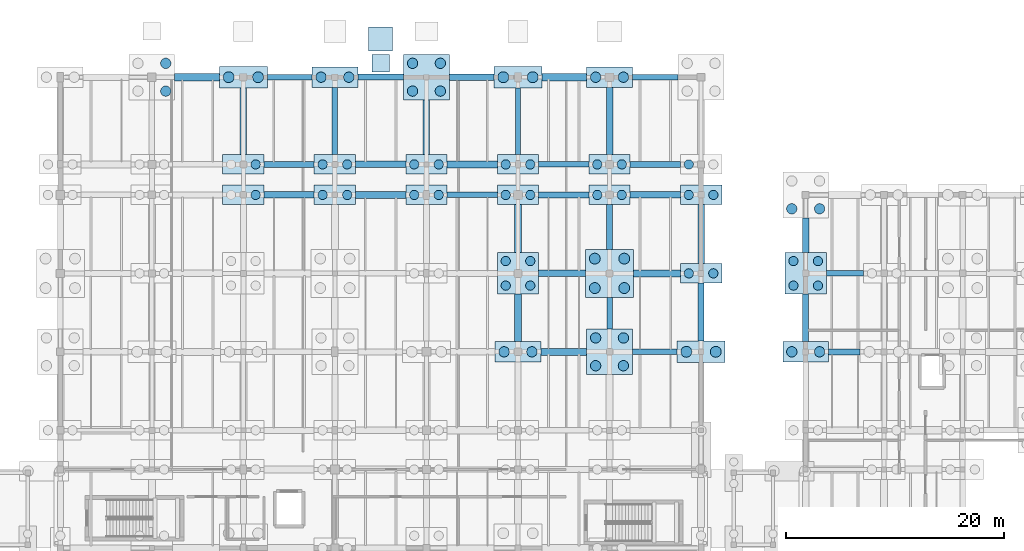
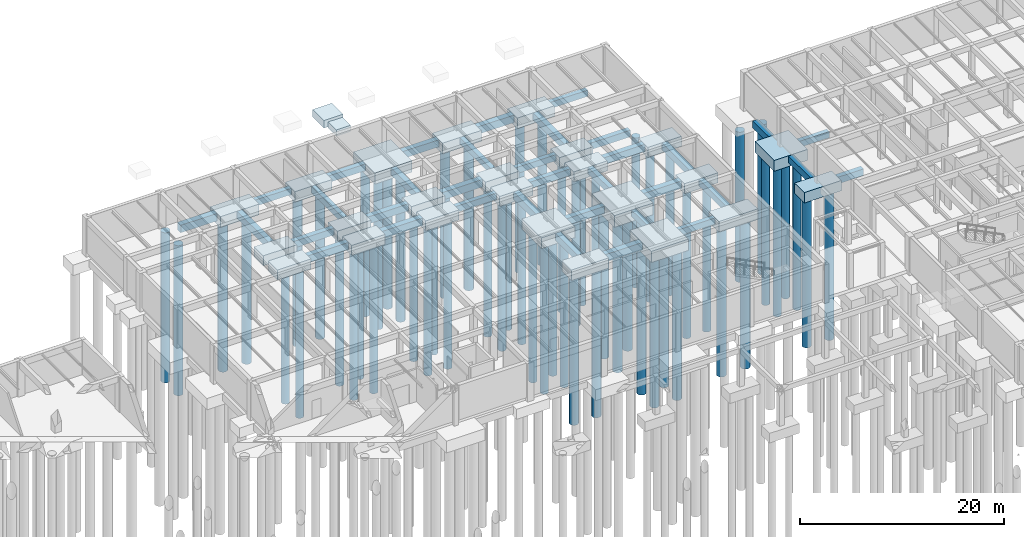
# One storey, part 11 of 63: 61 footings, 61 piles.
"""IFC4 building model written with IfcOpenShell, lengths in metres."""

from ifc_helpers import new_model, si_unit, direction, frame, origin, origin_2d, place, context, subcontext, project, spatial, rectangle, circle, extrude, material, material_profile, profile_set, type_object, element, save


model = new_model("IFC4")

# Units and contexts
model_context = context("Model", 3, precision=1e-05, world=origin(), true_north=direction((0.0, 1.0)))
body_context = subcontext(model_context, "Body", "Model", "MODEL_VIEW")
ifc_project = project(units=[si_unit("LENGTHUNIT", "METRE"), si_unit("AREAUNIT", "SQUARE_METRE"), si_unit("VOLUMEUNIT", "CUBIC_METRE"), si_unit("PLANEANGLEUNIT", "RADIAN"), si_unit("MASSUNIT", "GRAM", prefix="KILO")], contexts=[model_context])

# Site, building, storey
site_placement = place(None, origin())
site = spatial("IfcSite", under=ifc_project, at=site_placement, CompositionType="ELEMENT")
building_placement = place(site_placement, origin())
building = spatial("IfcBuilding", under=site, at=building_placement, Name="Mazaris Harbour Polytechnic", CompositionType="ELEMENT")
storey_placement = place(building_placement, frame((0.0, 0.0, -4.5)))
storey = spatial("IfcBuildingStorey", under=building, at=storey_placement, Name="B1", CompositionType="ELEMENT", Elevation=-4.5)

# Piles
ifc_material_1 = material(Name="Concrete C35/45", Category="concrete")
ifc_material_profile_1 = material_profile(ifc_material_1, circle(Radius=0.5, at=origin_2d()), Name="DIA1000")
ifc_profile_set_1 = profile_set([ifc_material_profile_1], Name="Concrete C35/45")
pile_type_1 = type_object("IfcPileType", Name="Bored Pile 1000", PredefinedType="BORED", material=ifc_profile_set_1)
for number, where, z_axis, x_axis, name in (
    (1, (69.449951171875, 118.800048828125, -1.659912109375), (0.0, 0.0, -1.0), (1.0, 0.0, 0.0), "Bored Pile BP-024-1"),
    (2, (72.14990234375, 118.800048828125, -1.659912109375), (0.0, 0.0, -1.0), (1.0, 0.0, 0.0), "Bored Pile BP-024-2"),
    (3, (94.64990234375, 118.800048828125, -1.659912109375), (0.0, 0.0, -1.0), (1.0, 0.0, 0.0), "Bored Pile BP-048-1"),
    (4, (97.35009765625, 118.800048828125, -1.659912109375), (0.0, 0.0, -1.0), (1.0, 0.0, 0.0), "Bored Pile BP-048-2"),
    (5, (103.050048828125, 99.449951171875, -1.760009765625), (0.0, 0.0, -1.0), (1.0, 0.0, 0.0), "Bored Pile BP-053-1"),
    (6, (105.75, 99.449951171875, -1.760009765625), (0.0, 0.0, -1.0), (1.0, 0.0, 0.0), "Bored Pile BP-053-2"),
    (7, (103.050048828125, 102.14990234375, -1.760009765625), (0.0, 0.0, -1.0), (1.0, 0.0, 0.0), "Bored Pile BP-053-3"),
    (8, (105.75, 102.14990234375, -1.760009765625), (0.0, 0.0, -1.0), (1.0, 0.0, 0.0), "Bored Pile BP-053-4"),
    (9, (111.449951171875, 93.60009765625, -1.659912109375), (0.0, 0.0, -1.0), (1.0, 0.0, 0.0), "Bored Pile BP-059-1"),
    (10, (114.14990234375, 93.60009765625, -1.659912109375), (0.0, 0.0, -1.0), (1.0, 0.0, 0.0), "Bored Pile BP-059-2"),
):
    element("IfcPile", number, at=place(storey_placement, frame(where, z_axis=z_axis, x_axis=x_axis)), inside=storey, type_object=pile_type_1, Name=name, PredefinedType="BORED", context=body_context, shape_type="SweptSolid", body=[
        extrude(circle(Radius=0.5, at=origin_2d()), origin(), (0.0, 0.0, 1.0), 18.0),
    ])
ifc_material_2 = material(Name="Concrete C35/45", Category="concrete")
ifc_material_profile_2 = material_profile(ifc_material_2, circle(Radius=0.425048828125, at=origin_2d()), Name="DIA850")
ifc_profile_set_2 = profile_set([ifc_material_profile_2], Name="Concrete C35/45")
pile_type_2 = type_object("IfcPileType", Name="Bored Pile 850", PredefinedType="BORED", material=ifc_profile_set_2)
for number, where, z_axis, x_axis, name in (
    (11, (71.92626953125, 108.0, -1.56005859375), (0.0, 0.0, -1.0), (1.0, 0.0, 0.0), "Bored Pile BP-022-2"),
    (12, (71.92626953125, 110.800048828125, -1.56005859375), (0.0, 0.0, -1.0), (1.0, 0.0, 0.0), "Bored Pile BP-023-2"),
    (13, (78.07373046875, 108.0, -1.56005859375), (0.0, 0.0, -1.0), (1.0, 0.0, 0.0), "Bored Pile BP-030-1"),
    (14, (80.326171875, 108.0, -1.56005859375), (0.0, 0.0, -1.0), (1.0, 0.0, 0.0), "Bored Pile BP-030-2"),
    (15, (78.07373046875, 110.800048828125, -1.56005859375), (0.0, 0.0, -1.0), (1.0, 0.0, 0.0), "Bored Pile BP-031-1"),
    (16, (80.326171875, 110.800048828125, -1.56005859375), (0.0, 0.0, -1.0), (1.0, 0.0, 0.0), "Bored Pile BP-031-2"),
    (17, (86.473876953125, 108.0, -1.56005859375), (0.0, 0.0, -1.0), (1.0, 0.0, 0.0), "Bored Pile BP-038-1"),
    (18, (88.726318359375, 108.0, -1.56005859375), (0.0, 0.0, -1.0), (1.0, 0.0, 0.0), "Bored Pile BP-038-2"),
    (19, (86.473876953125, 110.800048828125, -1.56005859375), (0.0, 0.0, -1.0), (1.0, 0.0, 0.0), "Bored Pile BP-039-1"),
    (20, (88.726318359375, 110.800048828125, -1.56005859375), (0.0, 0.0, -1.0), (1.0, 0.0, 0.0), "Bored Pile BP-039-2"),
    (21, (94.873779296875, 99.673828125, -1.659912109375), (0.0, 0.0, -1.0), (1.0, 0.0, 0.0), "Bored Pile BP-045-1"),
    (22, (97.126220703125, 99.673828125, -1.659912109375), (0.0, 0.0, -1.0), (1.0, 0.0, 0.0), "Bored Pile BP-045-2"),
    (23, (94.873779296875, 101.92626953125, -1.659912109375), (0.0, 0.0, -1.0), (1.0, 0.0, 0.0), "Bored Pile BP-045-3"),
    (24, (97.126220703125, 101.92626953125, -1.659912109375), (0.0, 0.0, -1.0), (1.0, 0.0, 0.0), "Bored Pile BP-045-4"),
    (25, (94.873779296875, 108.0, -1.56005859375), (0.0, 0.0, -1.0), (1.0, 0.0, 0.0), "Bored Pile BP-046-1"),
    (26, (97.126220703125, 108.0, -1.56005859375), (0.0, 0.0, -1.0), (1.0, 0.0, 0.0), "Bored Pile BP-046-2"),
    (27, (94.873779296875, 110.800048828125, -1.56005859375), (0.0, 0.0, -1.0), (1.0, 0.0, 0.0), "Bored Pile BP-047-1"),
    (28, (97.126220703125, 110.800048828125, -1.56005859375), (0.0, 0.0, -1.0), (1.0, 0.0, 0.0), "Bored Pile BP-047-2"),
    (29, (103.273681640625, 108.0, -1.56005859375), (0.0, 0.0, -1.0), (1.0, 0.0, 0.0), "Bored Pile BP-054-1"),
    (30, (105.526123046875, 108.0, -1.56005859375), (0.0, 0.0, -1.0), (1.0, 0.0, 0.0), "Bored Pile BP-054-2"),
    (31, (103.273681640625, 110.800048828125, -1.56005859375), (0.0, 0.0, -1.0), (1.0, 0.0, 0.0), "Bored Pile BP-055-1"),
    (32, (105.526123046875, 110.800048828125, -1.56005859375), (0.0, 0.0, -1.0), (1.0, 0.0, 0.0), "Bored Pile BP-055-2"),
    (33, (111.673828125, 100.800048828125, -1.56005859375), (0.0, 0.0, -1.0), (1.0, 0.0, 0.0), "Bored Pile BP-060-1"),
    (34, (113.92626953125, 100.800048828125, -1.56005859375), (0.0, 0.0, -1.0), (1.0, 0.0, 0.0), "Bored Pile BP-060-2"),
    (35, (111.673828125, 108.0, -1.56005859375), (0.0, 0.0, -1.0), (1.0, 0.0, 0.0), "Bored Pile BP-061-1"),
    (36, (113.92626953125, 108.0, -1.56005859375), (0.0, 0.0, -1.0), (1.0, 0.0, 0.0), "Bored Pile BP-061-2"),
    (37, (111.673828125, 110.800048828125, -1.56005859375), (0.0, 0.0, -1.0), (1.0, 0.0, 0.0), "Bored Pile BP-062-1"),
    (38, (121.273681640625, 99.673828125, -1.6201171875), (0.0, 0.0, -1.0), (1.0, 0.0, 0.0), "Bored Pile BP-248-1"),
    (39, (123.526123046875, 99.673828125, -1.6201171875), (0.0, 0.0, -1.0), (1.0, 0.0, 0.0), "Bored Pile BP-248-2"),
    (40, (121.273681640625, 101.92626953125, -1.6201171875), (0.0, 0.0, -1.0), (1.0, 0.0, 0.0), "Bored Pile BP-248-3"),
    (41, (123.526123046875, 101.92626953125, -1.6201171875), (0.0, 0.0, -1.0), (1.0, 0.0, 0.0), "Bored Pile BP-248-4"),
):
    element("IfcPile", number, at=place(storey_placement, frame(where, z_axis=z_axis, x_axis=x_axis)), inside=storey, type_object=pile_type_2, Name=name, PredefinedType="BORED", context=body_context, shape_type="SweptSolid", body=[
        extrude(circle(Radius=0.425048828125, at=origin_2d()), origin(), (0.0, 0.0, 1.0), 18.0),
    ])
ifc_material_3 = material(Name="Concrete C35/45", Category="concrete")
ifc_material_profile_3 = material_profile(ifc_material_3, circle(Radius=0.47509765625, at=origin_2d()), Name="DIA950")
ifc_profile_set_3 = profile_set([ifc_material_profile_3], Name="Concrete C35/45")
pile_type_3 = type_object("IfcPileType", Name="Bored Pile 950", PredefinedType="BORED", material=ifc_profile_set_3)
for number, where, z_axis, x_axis, name in (
    (42, (63.675048828125, 117.52490234375, -1.7099609375), (0.0, 0.0, -1.0), (1.0, 0.0, 0.0), "Bored Pile BP-016-2"),
    (43, (63.675048828125, 120.074951171875, -1.7099609375), (0.0, 0.0, -1.0), (1.0, 0.0, 0.0), "Bored Pile BP-016-4"),
    (44, (77.925048828125, 118.800048828125, -1.610107421875), (0.0, 0.0, -1.0), (1.0, 0.0, 0.0), "Bored Pile BP-032-1"),
    (45, (80.47509765625, 118.800048828125, -1.610107421875), (0.0, 0.0, -1.0), (1.0, 0.0, 0.0), "Bored Pile BP-032-2"),
    (46, (86.324951171875, 117.52490234375, -1.7099609375), (0.0, 0.0, -1.0), (1.0, 0.0, 0.0), "Bored Pile BP-040-1"),
    (47, (88.875, 117.52490234375, -1.7099609375), (0.0, 0.0, -1.0), (1.0, 0.0, 0.0), "Bored Pile BP-040-2"),
    (48, (86.324951171875, 120.074951171875, -1.7099609375), (0.0, 0.0, -1.0), (1.0, 0.0, 0.0), "Bored Pile BP-040-3"),
    (49, (88.875, 120.074951171875, -1.7099609375), (0.0, 0.0, -1.0), (1.0, 0.0, 0.0), "Bored Pile BP-040-4"),
    (50, (94.72509765625, 93.60009765625, -1.610107421875), (0.0, 0.0, -1.0), (1.0, 0.0, 0.0), "Bored Pile BP-044-1"),
    (51, (97.27490234375, 93.60009765625, -1.610107421875), (0.0, 0.0, -1.0), (1.0, 0.0, 0.0), "Bored Pile BP-044-2"),
    (52, (103.125, 92.324951171875, -1.7099609375), (0.0, 0.0, -1.0), (1.0, 0.0, 0.0), "Bored Pile BP-052-1"),
    (53, (105.675048828125, 92.324951171875, -1.7099609375), (0.0, 0.0, -1.0), (1.0, 0.0, 0.0), "Bored Pile BP-052-2"),
    (54, (103.125, 94.875, -1.7099609375), (0.0, 0.0, -1.0), (1.0, 0.0, 0.0), "Bored Pile BP-052-3"),
    (55, (105.675048828125, 94.875, -1.7099609375), (0.0, 0.0, -1.0), (1.0, 0.0, 0.0), "Bored Pile BP-052-4"),
    (56, (103.125, 118.800048828125, -1.610107421875), (0.0, 0.0, -1.0), (1.0, 0.0, 0.0), "Bored Pile BP-056-1"),
    (57, (105.675048828125, 118.800048828125, -1.610107421875), (0.0, 0.0, -1.0), (1.0, 0.0, 0.0), "Bored Pile BP-056-2"),
    (58, (121.125, 93.60009765625, -1.570068359375), (0.0, 0.0, -1.0), (1.0, 0.0, 0.0), "Bored Pile BP-247-1"),
    (59, (123.675048828125, 93.60009765625, -1.570068359375), (0.0, 0.0, -1.0), (1.0, 0.0, 0.0), "Bored Pile BP-247-2"),
    (60, (121.125, 106.72509765625, -1.669921875), (0.0, 0.0, -1.0), (1.0, 0.0, 0.0), "Bored Pile BP-249-1"),
    (61, (123.675048828125, 106.72509765625, -1.669921875), (0.0, 0.0, -1.0), (1.0, 0.0, 0.0), "Bored Pile BP-249-2"),
):
    element("IfcPile", number, at=place(storey_placement, frame(where, z_axis=z_axis, x_axis=x_axis)), inside=storey, type_object=pile_type_3, Name=name, PredefinedType="BORED", context=body_context, shape_type="SweptSolid", body=[
        extrude(circle(Radius=0.47509765625, at=origin_2d()), origin(), (0.0, 0.0, 1.0), 18.0),
    ])

# Footings
ifc_material_4 = material(Name="Concrete C35/45", Category="concrete")
footing_type_1 = type_object("IfcFootingType", Name="Pad Footing 1600x1600x750", PredefinedType="PAD_FOOTING", material=ifc_material_4)
footing_1_placement = place(storey_placement, frame((83.39990234375, 120.070068359375, 3.405029296875), z_axis=(0.0, 0.0, 1.0), x_axis=(1.0, 0.0, 0.0)))
element("IfcFooting", 62, at=footing_1_placement, inside=storey, type_object=footing_type_1, Name="RAMP-05 Top Landing Footing", PredefinedType="PAD_FOOTING", context=body_context, shape_type="SweptSolid", body=[
    extrude(rectangle(XDim=1.60009765625, YDim=1.60009765625, at=origin_2d()), origin(), (0.0, 0.0, 1.0), 0.75),
])
ifc_material_5 = material(Name="Concrete C35/45", Category="concrete")
footing_type_2 = type_object("IfcFootingType", Name="Pad Footing 2200x2200x900", PredefinedType="PAD_FOOTING", material=ifc_material_5)
footing_2_placement = place(storey_placement, frame((83.39990234375, 122.320068359375, 3.300048828125), z_axis=(0.0, 0.0, 1.0), x_axis=(1.0, 0.0, 0.0)))
element("IfcFooting", 63, at=footing_2_placement, inside=storey, type_object=footing_type_2, Name="RAMP-05 Bottom Landing Footing", PredefinedType="PAD_FOOTING", context=body_context, shape_type="SweptSolid", body=[
    extrude(rectangle(XDim=2.199951171875, YDim=2.199951171875, at=origin_2d()), origin(), (0.0, 0.0, 1.0), 0.89990234375),
])
ifc_material_6 = material(Name="Concrete C35/45", Category="concrete")
footing_type_3 = type_object("IfcFootingType", Name="Pile Cap 3800x1800x1200", PredefinedType="PILE_CAP", material=ifc_material_6)
for number, where, z_axis, x_axis, name in (
    (64, (70.800048828125, 108.0, -1.66015625), (0.0, 0.0, 1.0), (1.0, 0.0, 0.0), "Pile Cap CAP-022"),
    (65, (70.800048828125, 110.800048828125, -1.66015625), (0.0, 0.0, 1.0), (1.0, 0.0, 0.0), "Pile Cap CAP-023"),
    (66, (79.199951171875, 108.0, -1.66015625), (0.0, 0.0, 1.0), (1.0, 0.0, 0.0), "Pile Cap CAP-030"),
    (67, (79.199951171875, 110.800048828125, -1.66015625), (0.0, 0.0, 1.0), (1.0, 0.0, 0.0), "Pile Cap CAP-031"),
    (68, (87.60009765625, 108.0, -1.66015625), (0.0, 0.0, 1.0), (1.0, 0.0, 0.0), "Pile Cap CAP-038"),
    (69, (87.60009765625, 110.800048828125, -1.66015625), (0.0, 0.0, 1.0), (1.0, 0.0, 0.0), "Pile Cap CAP-039"),
    (70, (96.0, 108.0, -1.66015625), (0.0, 0.0, 1.0), (1.0, 0.0, 0.0), "Pile Cap CAP-046"),
    (71, (96.0, 110.800048828125, -1.66015625), (0.0, 0.0, 1.0), (1.0, 0.0, 0.0), "Pile Cap CAP-047"),
    (72, (104.39990234375, 108.0, -1.66015625), (0.0, 0.0, 1.0), (1.0, 0.0, 0.0), "Pile Cap CAP-054"),
    (73, (104.39990234375, 110.800048828125, -1.66015625), (0.0, 0.0, 1.0), (1.0, 0.0, 0.0), "Pile Cap CAP-055"),
    (74, (112.800048828125, 100.800048828125, -1.66015625), (0.0, 0.0, 1.0), (1.0, 0.0, 0.0), "Pile Cap CAP-060"),
    (75, (112.800048828125, 108.0, -1.66015625), (0.0, 0.0, 1.0), (1.0, 0.0, 0.0), "Pile Cap CAP-061"),
):
    element("IfcFooting", number, at=place(storey_placement, frame(where, z_axis=z_axis, x_axis=x_axis)), inside=storey, type_object=footing_type_3, Name=name, PredefinedType="PILE_CAP", context=body_context, shape_type="SweptSolid", body=[
        extrude(rectangle(XDim=3.800048828125, YDim=1.800048828125, at=origin_2d()), origin(), (0.0, 0.0, 1.0), 1.199951171875),
    ])
ifc_material_7 = material(Name="Concrete C35/45", Category="concrete")
footing_type_4 = type_object("IfcFootingType", Name="Pile Cap 3800x3800x1300", PredefinedType="PILE_CAP", material=ifc_material_7)
for number, where, z_axis, x_axis, name in (
    (76, (96.0, 100.800048828125, -1.76025390625), (0.0, 0.0, 1.0), (1.0, 0.0, 0.0), "Pile Cap CAP-045"),
    (77, (122.39990234375, 100.800048828125, -1.72021484375), (0.0, 0.0, 1.0), (1.0, 0.0, 0.0), "Pile Cap CAP-248"),
):
    element("IfcFooting", number, at=place(storey_placement, frame(where, z_axis=z_axis, x_axis=x_axis)), inside=storey, type_object=footing_type_4, Name=name, PredefinedType="PILE_CAP", context=body_context, shape_type="SweptSolid", body=[
        extrude(rectangle(XDim=3.800048828125, YDim=3.800048828125, at=origin_2d()), origin(), (0.0, 0.0, 1.0), 1.300048828125),
    ])
ifc_material_8 = material(Name="Concrete C35/45", Category="concrete")
footing_type_5 = type_object("IfcFootingType", Name="Pile Cap 4200x1900x1250", PredefinedType="PILE_CAP", material=ifc_material_8)
for number, where, z_axis, x_axis, name in (
    (78, (79.199951171875, 118.800048828125, -1.7099609375), (0.0, 0.0, 1.0), (1.0, 0.0, 0.0), "Pile Cap CAP-032"),
    (79, (96.0, 93.60009765625, -1.7099609375), (0.0, 0.0, 1.0), (1.0, 0.0, 0.0), "Pile Cap CAP-044"),
    (80, (104.39990234375, 118.800048828125, -1.7099609375), (0.0, 0.0, 1.0), (1.0, 0.0, 0.0), "Pile Cap CAP-056"),
    (81, (122.39990234375, 93.60009765625, -1.669921875), (0.0, 0.0, 1.0), (1.0, 0.0, 0.0), "Pile Cap CAP-247"),
):
    element("IfcFooting", number, at=place(storey_placement, frame(where, z_axis=z_axis, x_axis=x_axis)), inside=storey, type_object=footing_type_5, Name=name, PredefinedType="PILE_CAP", context=body_context, shape_type="SweptSolid", body=[
        extrude(rectangle(XDim=4.199951171875, YDim=1.89990234375, at=origin_2d()), origin(), (0.0, 0.0, 1.0), 1.25),
    ])
ifc_material_9 = material(Name="Concrete C35/45", Category="concrete")
footing_type_6 = type_object("IfcFootingType", Name="Pile Cap 4200x4200x1350", PredefinedType="PILE_CAP", material=ifc_material_9)
for number, where, z_axis, x_axis, name in (
    (82, (87.60009765625, 118.800048828125, -1.81005859375), (0.0, 0.0, 1.0), (1.0, 0.0, 0.0), "Pile Cap CAP-040"),
    (83, (104.39990234375, 93.60009765625, -1.81005859375), (0.0, 0.0, 1.0), (1.0, 0.0, 0.0), "Pile Cap CAP-052"),
):
    element("IfcFooting", number, at=place(storey_placement, frame(where, z_axis=z_axis, x_axis=x_axis)), inside=storey, type_object=footing_type_6, Name=name, PredefinedType="PILE_CAP", context=body_context, shape_type="SweptSolid", body=[
        extrude(rectangle(XDim=4.199951171875, YDim=4.199951171875, at=origin_2d()), origin(), (0.0, 0.0, 1.0), 1.35009765625),
    ])
ifc_material_10 = material(Name="Concrete C35/45", Category="concrete")
footing_type_7 = type_object("IfcFootingType", Name="Pile Cap 4400x2000x1300", PredefinedType="PILE_CAP", material=ifc_material_10)
for number, where, z_axis, x_axis, name in (
    (84, (70.800048828125, 118.800048828125, -1.76025390625), (0.0, 0.0, 1.0), (1.0, 0.0, 0.0), "Pile Cap CAP-024"),
    (85, (96.0, 118.800048828125, -1.76025390625), (0.0, 0.0, 1.0), (1.0, 0.0, 0.0), "Pile Cap CAP-048"),
    (86, (112.800048828125, 93.60009765625, -1.76025390625), (0.0, 0.0, 1.0), (1.0, 0.0, 0.0), "Pile Cap CAP-059"),
):
    element("IfcFooting", number, at=place(storey_placement, frame(where, z_axis=z_axis, x_axis=x_axis)), inside=storey, type_object=footing_type_7, Name=name, PredefinedType="PILE_CAP", context=body_context, shape_type="SweptSolid", body=[
        extrude(rectangle(XDim=4.39990234375, YDim=2.0, at=origin_2d()), origin(), (0.0, 0.0, 1.0), 1.300048828125),
    ])
ifc_material_11 = material(Name="Concrete C35/45", Category="concrete")
footing_type_8 = type_object("IfcFootingType", Name="Pile Cap 4400x4400x1400", PredefinedType="PILE_CAP", material=ifc_material_11)
footing_3_placement = place(storey_placement, frame((104.39990234375, 100.800048828125, -1.85986328125), z_axis=(0.0, 0.0, 1.0), x_axis=(1.0, 0.0, 0.0)))
element("IfcFooting", 87, at=footing_3_placement, inside=storey, type_object=footing_type_8, Name="Pile Cap CAP-053", PredefinedType="PILE_CAP", context=body_context, shape_type="SweptSolid", body=[
    extrude(rectangle(XDim=4.39990234375, YDim=4.39990234375, at=origin_2d()), origin(), (0.0, 0.0, 1.0), 1.39990234375),
])
ifc_material_12 = material(Name="Concrete C35/45", Category="concrete")
ifc_material_profile_4 = material_profile(ifc_material_12, rectangle(XDim=0.5, YDim=0.75, at=origin_2d()), Name="RECT500x750")
ifc_profile_set_4 = profile_set([ifc_material_profile_4], Name="Concrete C35/45")
footing_type_9 = type_object("IfcFootingType", Name="Seismic Tie Beam 500x750", PredefinedType="FOOTING_BEAM", material=ifc_profile_set_4)
footing_4_placement = place(storey_placement, frame((106.5, 93.60009765625, -0.8349609375), z_axis=(1.0, 0.0, 0.0), x_axis=(0.0, 1.0, 0.0)))
element("IfcFooting", 88, at=footing_4_placement, inside=storey, type_object=footing_type_9, Name="Seismic Tie Beam FTB-028", PredefinedType="FOOTING_BEAM", context=body_context, shape_type="SweptSolid", body=[
    extrude(rectangle(XDim=0.5, YDim=0.75, at=origin_2d()), origin(), (0.0, 0.0, 1.0), 4.10009765625),
])
for number, where, z_axis, x_axis, name in (
    (89, (89.5, 108.0, -0.8349609375), (1.0, 0.0, 0.0), (0.0, 1.0, 0.0), "Seismic Tie Beam FTB-040"),
    (90, (97.89990234375, 110.800048828125, -0.8349609375), (1.0, 0.0, 0.0), (0.0, 1.0, 0.0), "Seismic Tie Beam FTB-048"),
):
    element("IfcFooting", number, at=place(storey_placement, frame(where, z_axis=z_axis, x_axis=x_axis)), inside=storey, type_object=footing_type_9, Name=name, PredefinedType="FOOTING_BEAM", context=body_context, shape_type="SweptSolid", body=[
        extrude(rectangle(XDim=0.5, YDim=0.75, at=origin_2d()), origin(), (0.0, 0.0, 1.0), 4.60009765625),
    ])
footing_5_placement = place(storey_placement, frame((73.0, 118.800048828125, -0.8349609375), z_axis=(1.0, 0.0, 0.0), x_axis=(0.0, 1.0, 0.0)))
element("IfcFooting", 91, at=footing_5_placement, inside=storey, type_object=footing_type_9, Name="Seismic Tie Beam FTB-052", PredefinedType="FOOTING_BEAM", context=body_context, shape_type="SweptSolid", body=[
    extrude(rectangle(XDim=0.5, YDim=0.75, at=origin_2d()), origin(), (0.0, 0.0, 1.0), 4.10009765625),
])
footing_6_placement = place(storey_placement, frame((106.5, 118.800048828125, -0.8349609375), z_axis=(1.0, 0.0, 0.0), x_axis=(0.0, 1.0, 0.0)))
element("IfcFooting", 92, at=footing_6_placement, inside=storey, type_object=footing_type_9, Name="Seismic Tie Beam FTB-056", PredefinedType="FOOTING_BEAM", context=body_context, shape_type="SweptSolid", body=[
    extrude(rectangle(XDim=0.5, YDim=0.75, at=origin_2d()), origin(), (0.0, 0.0, 1.0), 4.199951171875),
])
footing_7_placement = place(storey_placement, frame((79.199951171875, 111.699951171875, -0.8349609375), z_axis=(0.0, 1.0, 0.0), x_axis=(-1.0, 0.0, 0.0)))
element("IfcFooting", 93, at=footing_7_placement, inside=storey, type_object=footing_type_9, Name="Seismic Tie Beam FTB-080", PredefinedType="FOOTING_BEAM", context=body_context, shape_type="SweptSolid", body=[
    extrude(rectangle(XDim=0.5, YDim=0.75, at=origin_2d()), origin(), (0.0, 0.0, 1.0), 6.150146484375),
])
footing_8_placement = place(storey_placement, frame((96.0, 111.699951171875, -0.8349609375), z_axis=(0.0, 1.0, 0.0), x_axis=(-1.0, 0.0, 0.0)))
element("IfcFooting", 94, at=footing_8_placement, inside=storey, type_object=footing_type_9, Name="Seismic Tie Beam FTB-092", PredefinedType="FOOTING_BEAM", context=body_context, shape_type="SweptSolid", body=[
    extrude(rectangle(XDim=0.5, YDim=0.75, at=origin_2d()), origin(), (0.0, 0.0, 1.0), 6.10009765625),
])
footing_9_placement = place(storey_placement, frame((104.39990234375, 95.699951171875, -0.8349609375), z_axis=(0.0, 1.0, 0.0), x_axis=(-1.0, 0.0, 0.0)))
element("IfcFooting", 95, at=footing_9_placement, inside=storey, type_object=footing_type_9, Name="Seismic Tie Beam FTB-096", PredefinedType="FOOTING_BEAM", context=body_context, shape_type="SweptSolid", body=[
    extrude(rectangle(XDim=0.5, YDim=0.75, at=origin_2d()), origin(), (0.0, 0.0, 1.0), 2.900146484375),
])
footing_10_placement = place(storey_placement, frame((124.300048828125, 100.800048828125, -0.8349609375), z_axis=(1.0, 0.0, 0.0), x_axis=(0.0, 1.0, 0.0)))
element("IfcFooting", 96, at=footing_10_placement, inside=storey, type_object=footing_type_9, Name="Seismic Tie Beam FTB-452", PredefinedType="FOOTING_BEAM", context=body_context, shape_type="SweptSolid", body=[
    extrude(rectangle(XDim=0.5, YDim=0.75, at=origin_2d()), origin(), (0.0, 0.0, 1.0), 3.39990234375),
])
ifc_material_13 = material(Name="Concrete C35/45", Category="concrete")
ifc_material_profile_5 = material_profile(ifc_material_13, rectangle(XDim=0.550048828125, YDim=0.800048828125, at=origin_2d()), Name="RECT550x800")
ifc_profile_set_5 = profile_set([ifc_material_profile_5], Name="Concrete C35/45")
footing_type_10 = type_object("IfcFootingType", Name="Seismic Tie Beam 550x800", PredefinedType="FOOTING_BEAM", material=ifc_profile_set_5)
for number, where, z_axis, x_axis, name in (
    (97, (97.89990234375, 108.0, -0.860107421875), (1.0, 0.0, 0.0), (0.0, 1.0, 0.0), "Seismic Tie Beam FTB-041"),
    (98, (72.699951171875, 110.800048828125, -0.860107421875), (1.0, 0.0, 0.0), (0.0, 1.0, 0.0), "Seismic Tie Beam FTB-045"),
):
    element("IfcFooting", number, at=place(storey_placement, frame(where, z_axis=z_axis, x_axis=x_axis)), inside=storey, type_object=footing_type_10, Name=name, PredefinedType="FOOTING_BEAM", context=body_context, shape_type="SweptSolid", body=[
        extrude(rectangle(XDim=0.550048828125, YDim=0.800048828125, at=origin_2d()), origin(), (0.0, 0.0, 1.0), 4.60009765625),
    ])
footing_11_placement = place(storey_placement, frame((106.300048828125, 110.800048828125, -0.860107421875), z_axis=(1.0, 0.0, 0.0), x_axis=(0.0, 1.0, 0.0)))
element("IfcFooting", 99, at=footing_11_placement, inside=storey, type_object=footing_type_10, Name="Seismic Tie Beam FTB-049", PredefinedType="FOOTING_BEAM", context=body_context, shape_type="SweptSolid", body=[
    extrude(rectangle(XDim=0.550048828125, YDim=0.800048828125, at=origin_2d()), origin(), (0.0, 0.0, 1.0), 4.599853515625),
])
footing_12_placement = place(storey_placement, frame((81.300048828125, 118.800048828125, -0.860107421875), z_axis=(1.0, 0.0, 0.0), x_axis=(0.0, 1.0, 0.0)))
element("IfcFooting", 100, at=footing_12_placement, inside=storey, type_object=footing_type_10, Name="Seismic Tie Beam FTB-053", PredefinedType="FOOTING_BEAM", context=body_context, shape_type="SweptSolid", body=[
    extrude(rectangle(XDim=0.550048828125, YDim=0.800048828125, at=origin_2d()), origin(), (0.0, 0.0, 1.0), 4.199951171875),
])
footing_13_placement = place(storey_placement, frame((104.39990234375, 103.0, -0.860107421875), z_axis=(0.0, 1.0, 0.0), x_axis=(-1.0, 0.0, 0.0)))
element("IfcFooting", 101, at=footing_13_placement, inside=storey, type_object=footing_type_10, Name="Seismic Tie Beam FTB-097", PredefinedType="FOOTING_BEAM", context=body_context, shape_type="SweptSolid", body=[
    extrude(rectangle(XDim=0.550048828125, YDim=0.800048828125, at=origin_2d()), origin(), (0.0, 0.0, 1.0), 4.10009765625),
])
footing_14_placement = place(storey_placement, frame((112.800048828125, 94.60009765625, -0.860107421875), z_axis=(0.0, 1.0, 0.0), x_axis=(-1.0, 0.0, 0.0)))
element("IfcFooting", 102, at=footing_14_placement, inside=storey, type_object=footing_type_10, Name="Seismic Tie Beam FTB-101", PredefinedType="FOOTING_BEAM", context=body_context, shape_type="SweptSolid", body=[
    extrude(rectangle(XDim=0.550048828125, YDim=0.800048828125, at=origin_2d()), origin(), (0.0, 0.0, 1.0), 5.2998046875),
])
footing_15_placement = place(storey_placement, frame((124.5, 93.60009765625, -0.860107421875), z_axis=(1.0, 0.0, 0.0), x_axis=(0.0, 1.0, 0.0)))
element("IfcFooting", 103, at=footing_15_placement, inside=storey, type_object=footing_type_10, Name="Seismic Tie Beam FTB-445", PredefinedType="FOOTING_BEAM", context=body_context, shape_type="SweptSolid", body=[
    extrude(rectangle(XDim=0.550048828125, YDim=0.800048828125, at=origin_2d()), origin(), (0.0, 0.0, 1.0), 2.89990234375),
])
footing_16_placement = place(storey_placement, frame((122.39990234375, 94.550048828125, -0.860107421875), z_axis=(0.0, 1.0, 0.0), x_axis=(-1.0, 0.0, 0.0)))
element("IfcFooting", 104, at=footing_16_placement, inside=storey, type_object=footing_type_10, Name="Seismic Tie Beam FTB-473", PredefinedType="FOOTING_BEAM", context=body_context, shape_type="SweptSolid", body=[
    extrude(rectangle(XDim=0.550048828125, YDim=0.800048828125, at=origin_2d()), origin(), (0.0, 0.0, 1.0), 4.349853515625),
])
ifc_material_14 = material(Name="Concrete C35/45", Category="concrete")
ifc_material_profile_6 = material_profile(ifc_material_14, rectangle(XDim=0.60009765625, YDim=0.85009765625, at=origin_2d()), Name="RECT600x850")
ifc_profile_set_6 = profile_set([ifc_material_profile_6], Name="Concrete C35/45")
footing_type_11 = type_object("IfcFootingType", Name="Seismic Tie Beam 600x850", PredefinedType="FOOTING_BEAM", material=ifc_profile_set_6)
footing_17_placement = place(storey_placement, frame((97.89990234375, 100.800048828125, -0.885009765625), z_axis=(1.0, 0.0, 0.0), x_axis=(0.0, 1.0, 0.0)))
element("IfcFooting", 105, at=footing_17_placement, inside=storey, type_object=footing_type_11, Name="Seismic Tie Beam FTB-034", PredefinedType="FOOTING_BEAM", context=body_context, shape_type="SweptSolid", body=[
    extrude(rectangle(XDim=0.60009765625, YDim=0.85009765625, at=origin_2d()), origin(), (0.0, 0.0, 1.0), 4.300048828125),
])
footing_18_placement = place(storey_placement, frame((72.699951171875, 108.0, -0.885009765625), z_axis=(1.0, 0.0, 0.0), x_axis=(0.0, 1.0, 0.0)))
element("IfcFooting", 106, at=footing_18_placement, inside=storey, type_object=footing_type_11, Name="Seismic Tie Beam FTB-038", PredefinedType="FOOTING_BEAM", context=body_context, shape_type="SweptSolid", body=[
    extrude(rectangle(XDim=0.60009765625, YDim=0.85009765625, at=origin_2d()), origin(), (0.0, 0.0, 1.0), 4.60009765625),
])
for number, where, z_axis, x_axis, name in (
    (107, (106.300048828125, 108.0, -0.885009765625), (1.0, 0.0, 0.0), (0.0, 1.0, 0.0), "Seismic Tie Beam FTB-042"),
    (108, (81.10009765625, 110.800048828125, -0.885009765625), (1.0, 0.0, 0.0), (0.0, 1.0, 0.0), "Seismic Tie Beam FTB-046"),
):
    element("IfcFooting", number, at=place(storey_placement, frame(where, z_axis=z_axis, x_axis=x_axis)), inside=storey, type_object=footing_type_11, Name=name, PredefinedType="FOOTING_BEAM", context=body_context, shape_type="SweptSolid", body=[
        extrude(rectangle(XDim=0.60009765625, YDim=0.85009765625, at=origin_2d()), origin(), (0.0, 0.0, 1.0), 4.599853515625),
    ])
footing_19_placement = place(storey_placement, frame((89.699951171875, 118.800048828125, -0.885009765625), z_axis=(1.0, 0.0, 0.0), x_axis=(0.0, 1.0, 0.0)))
element("IfcFooting", 109, at=footing_19_placement, inside=storey, type_object=footing_type_11, Name="Seismic Tie Beam FTB-054", PredefinedType="FOOTING_BEAM", context=body_context, shape_type="SweptSolid", body=[
    extrude(rectangle(XDim=0.60009765625, YDim=0.85009765625, at=origin_2d()), origin(), (0.0, 0.0, 1.0), 4.10009765625),
])
footing_20_placement = place(storey_placement, frame((70.800048828125, 111.699951171875, -0.885009765625), z_axis=(0.0, 1.0, 0.0), x_axis=(-1.0, 0.0, 0.0)))
element("IfcFooting", 110, at=footing_20_placement, inside=storey, type_object=footing_type_11, Name="Seismic Tie Beam FTB-074", PredefinedType="FOOTING_BEAM", context=body_context, shape_type="SweptSolid", body=[
    extrude(rectangle(XDim=0.60009765625, YDim=0.85009765625, at=origin_2d()), origin(), (0.0, 0.0, 1.0), 6.10009765625),
])
footing_21_placement = place(storey_placement, frame((87.60009765625, 111.699951171875, -0.885009765625), z_axis=(0.0, 1.0, 0.0), x_axis=(-1.0, 0.0, 0.0)))
element("IfcFooting", 111, at=footing_21_placement, inside=storey, type_object=footing_type_11, Name="Seismic Tie Beam FTB-086", PredefinedType="FOOTING_BEAM", context=body_context, shape_type="SweptSolid", body=[
    extrude(rectangle(XDim=0.60009765625, YDim=0.85009765625, at=origin_2d()), origin(), (0.0, 0.0, 1.0), 5.0),
])
footing_22_placement = place(storey_placement, frame((96.0, 94.550048828125, -0.885009765625), z_axis=(0.0, 1.0, 0.0), x_axis=(-1.0, 0.0, 0.0)))
element("IfcFooting", 112, at=footing_22_placement, inside=storey, type_object=footing_type_11, Name="Seismic Tie Beam FTB-090", PredefinedType="FOOTING_BEAM", context=body_context, shape_type="SweptSolid", body=[
    extrude(rectangle(XDim=0.60009765625, YDim=0.85009765625, at=origin_2d()), origin(), (0.0, 0.0, 1.0), 4.349853515625),
])
footing_23_placement = place(storey_placement, frame((104.39990234375, 111.699951171875, -0.885009765625), z_axis=(0.0, 1.0, 0.0), x_axis=(-1.0, 0.0, 0.0)))
element("IfcFooting", 113, at=footing_23_placement, inside=storey, type_object=footing_type_11, Name="Seismic Tie Beam FTB-098", PredefinedType="FOOTING_BEAM", context=body_context, shape_type="SweptSolid", body=[
    extrude(rectangle(XDim=0.60009765625, YDim=0.85009765625, at=origin_2d()), origin(), (0.0, 0.0, 1.0), 6.150146484375),
])
footing_24_placement = place(storey_placement, frame((112.800048828125, 101.699951171875, -0.885009765625), z_axis=(0.0, 1.0, 0.0), x_axis=(-1.0, 0.0, 0.0)))
element("IfcFooting", 114, at=footing_24_placement, inside=storey, type_object=footing_type_11, Name="Seismic Tie Beam FTB-102", PredefinedType="FOOTING_BEAM", context=body_context, shape_type="SweptSolid", body=[
    extrude(rectangle(XDim=0.60009765625, YDim=0.85009765625, at=origin_2d()), origin(), (0.0, 0.0, 1.0), 5.400146484375),
])
footing_25_placement = place(storey_placement, frame((122.39990234375, 102.699951171875, -0.885009765625), z_axis=(0.0, 1.0, 0.0), x_axis=(-1.0, 0.0, 0.0)))
element("IfcFooting", 115, at=footing_25_placement, inside=storey, type_object=footing_type_11, Name="Seismic Tie Beam FTB-474", PredefinedType="FOOTING_BEAM", context=body_context, shape_type="SweptSolid", body=[
    extrude(rectangle(XDim=0.60009765625, YDim=0.85009765625, at=origin_2d()), origin(), (0.0, 0.0, 1.0), 3.199951171875),
])
ifc_material_15 = material(Name="Concrete C35/45", Category="concrete")
ifc_material_profile_7 = material_profile(ifc_material_15, rectangle(XDim=0.64990234375, YDim=0.89990234375, at=origin_2d()), Name="RECT650x900")
ifc_profile_set_7 = profile_set([ifc_material_profile_7], Name="Concrete C35/45")
footing_type_12 = type_object("IfcFootingType", Name="Seismic Tie Beam 650x900", PredefinedType="FOOTING_BEAM", material=ifc_profile_set_7)
footing_26_placement = place(storey_placement, frame((98.10009765625, 93.60009765625, -0.909912109375), z_axis=(1.0, 0.0, 0.0), x_axis=(0.0, 1.0, 0.0)))
element("IfcFooting", 116, at=footing_26_placement, inside=storey, type_object=footing_type_12, Name="Seismic Tie Beam FTB-027", PredefinedType="FOOTING_BEAM", context=body_context, shape_type="SweptSolid", body=[
    extrude(rectangle(XDim=0.64990234375, YDim=0.89990234375, at=origin_2d()), origin(), (0.0, 0.0, 1.0), 4.199951171875),
])
footing_27_placement = place(storey_placement, frame((106.60009765625, 100.800048828125, -0.909912109375), z_axis=(1.0, 0.0, 0.0), x_axis=(0.0, 1.0, 0.0)))
element("IfcFooting", 117, at=footing_27_placement, inside=storey, type_object=footing_type_12, Name="Seismic Tie Beam FTB-035", PredefinedType="FOOTING_BEAM", context=body_context, shape_type="SweptSolid", body=[
    extrude(rectangle(XDim=0.64990234375, YDim=0.89990234375, at=origin_2d()), origin(), (0.0, 0.0, 1.0), 4.2998046875),
])
footing_28_placement = place(storey_placement, frame((81.10009765625, 108.0, -0.909912109375), z_axis=(1.0, 0.0, 0.0), x_axis=(0.0, 1.0, 0.0)))
element("IfcFooting", 118, at=footing_28_placement, inside=storey, type_object=footing_type_12, Name="Seismic Tie Beam FTB-039", PredefinedType="FOOTING_BEAM", context=body_context, shape_type="SweptSolid", body=[
    extrude(rectangle(XDim=0.64990234375, YDim=0.89990234375, at=origin_2d()), origin(), (0.0, 0.0, 1.0), 4.599853515625),
])
footing_29_placement = place(storey_placement, frame((89.5, 110.800048828125, -0.909912109375), z_axis=(1.0, 0.0, 0.0), x_axis=(0.0, 1.0, 0.0)))
element("IfcFooting", 119, at=footing_29_placement, inside=storey, type_object=footing_type_12, Name="Seismic Tie Beam FTB-047", PredefinedType="FOOTING_BEAM", context=body_context, shape_type="SweptSolid", body=[
    extrude(rectangle(XDim=0.64990234375, YDim=0.89990234375, at=origin_2d()), origin(), (0.0, 0.0, 1.0), 4.60009765625),
])
for number, where, z_axis, x_axis, name in (
    (120, (64.5, 118.800048828125, -0.909912109375), (1.0, 0.0, 0.0), (0.0, 1.0, 0.0), "Seismic Tie Beam FTB-051"),
    (121, (98.199951171875, 118.800048828125, -0.909912109375), (1.0, 0.0, 0.0), (0.0, 1.0, 0.0), "Seismic Tie Beam FTB-055"),
):
    element("IfcFooting", number, at=place(storey_placement, frame(where, z_axis=z_axis, x_axis=x_axis)), inside=storey, type_object=footing_type_12, Name=name, PredefinedType="FOOTING_BEAM", context=body_context, shape_type="SweptSolid", body=[
        extrude(rectangle(XDim=0.64990234375, YDim=0.89990234375, at=origin_2d()), origin(), (0.0, 0.0, 1.0), 4.10009765625),
    ])
footing_30_placement = place(storey_placement, frame((96.0, 102.699951171875, -0.909912109375), z_axis=(0.0, 1.0, 0.0), x_axis=(-1.0, 0.0, 0.0)))
element("IfcFooting", 122, at=footing_30_placement, inside=storey, type_object=footing_type_12, Name="Seismic Tie Beam FTB-091", PredefinedType="FOOTING_BEAM", context=body_context, shape_type="SweptSolid", body=[
    extrude(rectangle(XDim=0.64990234375, YDim=0.89990234375, at=origin_2d()), origin(), (0.0, 0.0, 1.0), 4.400146484375),
])

save(model, "model.ifc")
